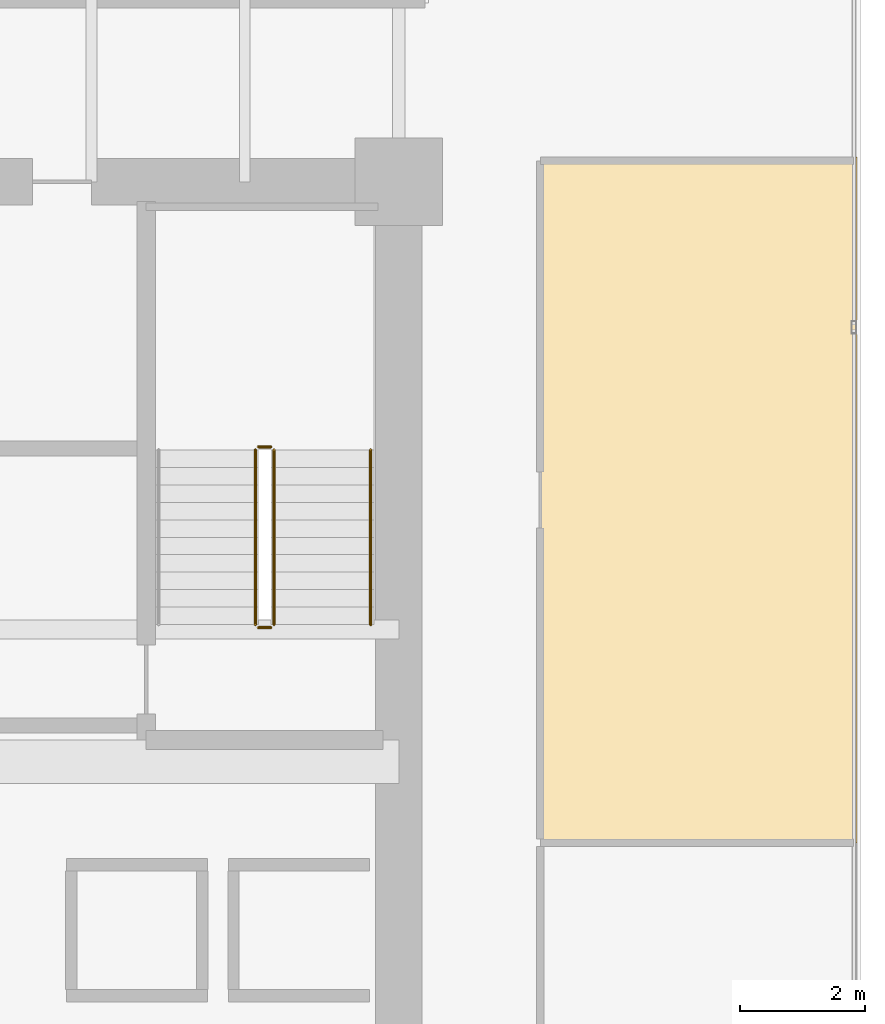
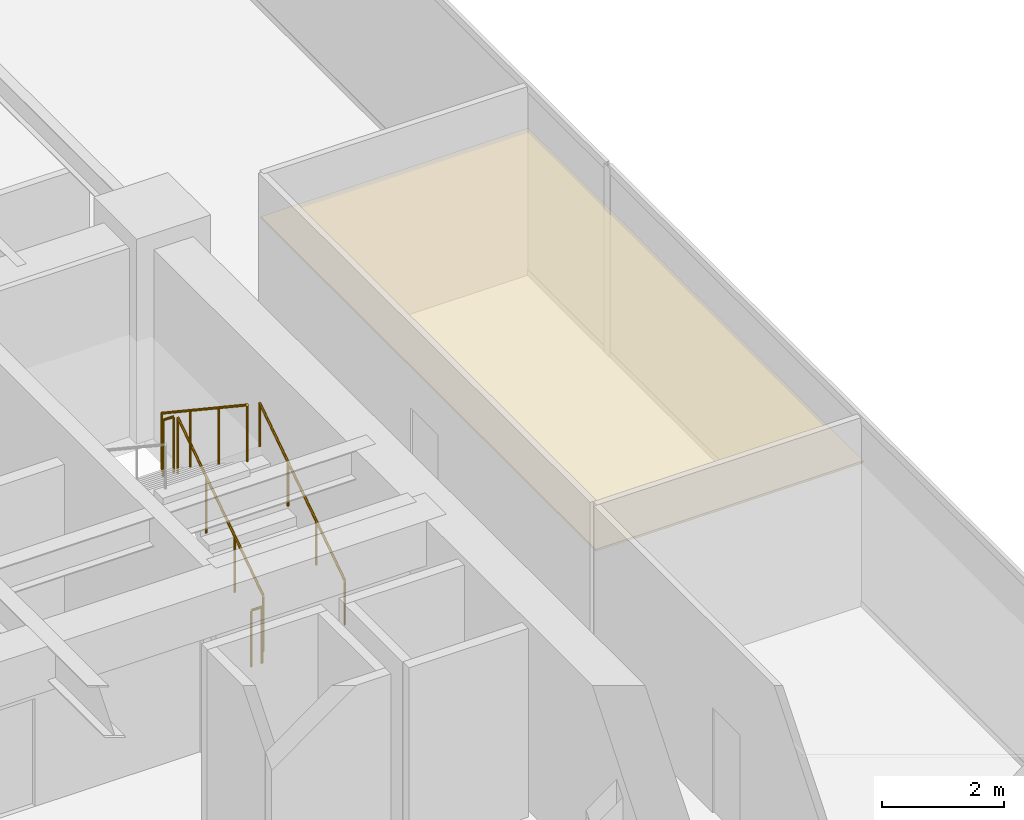
# One storey, part 32 of 32: 5 railings, 1 covering.
"""IFC4 building model written with IfcOpenShell, lengths in metres."""

from ifc_helpers import new_model, si_unit, direction, frame, origin, origin_2d, place, context, subcontext, project, spatial, polyline, circle, outline, extrude, source, transform, mapped, material, layer, layer_set, type_object, type_shapes, element, save


model = new_model("IFC4")

# Units and contexts
model_context = context("Model", 3, precision=1e-05, world=origin(), true_north=direction((0.0, 1.0)))
body_context = subcontext(model_context, "Body", "Model", "MODEL_VIEW")
ifc_project = project(units=[si_unit("LENGTHUNIT", "METRE"), si_unit("AREAUNIT", "SQUARE_METRE"), si_unit("VOLUMEUNIT", "CUBIC_METRE"), si_unit("PLANEANGLEUNIT", "RADIAN"), si_unit("MASSUNIT", "GRAM", prefix="KILO")], contexts=[model_context])

# Site, building, storey
site_placement = place(None, origin())
site = spatial("IfcSite", under=ifc_project, at=site_placement, CompositionType="ELEMENT")
building_placement = place(site_placement, origin())
building = spatial("IfcBuilding", under=site, at=building_placement, Name="Haelvirn Gate Laboratories", CompositionType="ELEMENT")
storey_placement = place(building_placement, frame((0.0, 0.0, 33.39990234375)))
storey = spatial("IfcBuildingStorey", under=building, at=storey_placement, Name="L08", CompositionType="ELEMENT", Elevation=33.39990234375)

# Covering
ifc_material_1 = material(Name="Micro-perforated acoustic mineral-fibre laboratory ceiling")
ifc_layer = layer(ifc_material_1, 0.0400390625, Name="COV-CEIL-ACT")
ifc_layer_set = layer_set([ifc_layer], Name="Micro-perforated acoustic mineral-fibre laboratory ceiling")
covering_type = type_object("IfcCoveringType", Name="COV-CEIL-ACT", PredefinedType="CEILING", material=ifc_layer_set)
covering_placement = place(storey_placement, frame((0.0, 0.0, 2.81005859375)))
element("IfcCovering", 1, at=covering_placement, inside=storey, type_object=covering_type, Name="L08 Laboratory Acoustic Ceiling CEIL-SP-L08-ECELL-02", PredefinedType="CEILING", context=body_context, shape_type="SweptSolid", body=[
    extrude(outline(polyline([(69.679931640625, 34.195068359375), (74.75, 34.195068359375), (74.75, 23.199951171875), (69.679931640625, 23.199951171875), (69.679931640625, 34.195068359375)])), origin(), (0.0, 0.0, 1.0), 0.0400390625),
])

# Railings
ifc_material_2 = material(Name="Galvanised steel SM355 & stainless top rail", Category="steel")
railing_type_1 = type_object("IfcRailingType", Name="RL-GUARD-1150", PredefinedType="GUARDRAIL", material=ifc_material_2)
shared_shape_1 = source(origin(), body_context, "Body", "SweptSolid", [
    extrude(circle(Radius=0.02392578125, at=origin_2d()), frame((0.0, 0.0, 1.1259765625), z_axis=(0.0, 0.832485552168, 0.554046753832), x_axis=(-1.0, 0.0, 0.0)), (0.0, 0.0, 1.0), 3.363525390625),
    extrude(circle(Radius=0.02099609375, at=origin_2d()), origin(), (0.0, 0.0, 1.0), 1.101806640625),
    extrude(circle(Radius=0.02099609375, at=origin_2d()), frame((0.0, 0.933349609375, 0.62109375)), (0.0, 0.0, 1.0), 1.101806640625),
    extrude(circle(Radius=0.02099609375, at=origin_2d()), frame((0.0, 1.86669921875, 1.242431640625)), (0.0, 0.0, 1.0), 1.101806640625),
    extrude(circle(Radius=0.02099609375, at=origin_2d()), frame((0.0, 2.800048828125, 1.863525390625)), (0.0, 0.0, 1.0), 1.101806640625),
])
railing_1_placement = place(storey_placement, frame((65.39990234375, 26.699951171875, 0.1865234375)))
element("IfcRailing", 2, at=railing_1_placement, inside=storey, type_object=railing_type_1, Name="L08 ST2 stair guard 1", PredefinedType="GUARDRAIL", context=body_context, shape_type="MappedRepresentation", body=[
    mapped(shared_shape_1, transform((0.0, 0.0, 0.0), scale=1.0)),
])
ifc_material_3 = material(Name="Brushed stainless steel 316L", Category="steel")
railing_type_2 = type_object("IfcRailingType", Name="RL-HAND-920", PredefinedType="HANDRAIL", material=ifc_material_3)
shared_shape_2 = source(origin(), body_context, "Body", "SweptSolid", [
    extrude(circle(Radius=0.02392578125, at=origin_2d()), frame((0.0, 0.0, 0.8759765625), z_axis=(0.0, 0.832485552168, 0.554046753832), x_axis=(-1.0, 0.0, 0.0)), (0.0, 0.0, 1.0), 3.363525390625),
    extrude(circle(Radius=0.02099609375, at=origin_2d()), origin(), (0.0, 0.0, 1.0), 0.851806640625),
    extrude(circle(Radius=0.02099609375, at=origin_2d()), frame((0.0, 0.933349609375, 0.62109375)), (0.0, 0.0, 1.0), 0.851806640625),
    extrude(circle(Radius=0.02099609375, at=origin_2d()), frame((0.0, 1.86669921875, 1.242431640625)), (0.0, 0.0, 1.0), 0.851806640625),
    extrude(circle(Radius=0.02099609375, at=origin_2d()), frame((0.0, 2.800048828125, 1.863525390625)), (0.0, 0.0, 1.0), 0.851806640625),
])
type_shapes(railing_type_2, [shared_shape_2])
railing_2_placement = place(storey_placement, frame((66.949951171875, 26.699951171875, 0.1865234375)))
element("IfcRailing", 3, at=railing_2_placement, inside=storey, type_object=railing_type_2, Name="L08 ST2 stair handrail 1", PredefinedType="HANDRAIL", context=body_context, shape_type="MappedRepresentation", body=[
    mapped(shared_shape_2, transform((0.0, 0.0, 0.0), scale=1.0)),
])
shared_shape_3 = source(origin(), body_context, "Body", "SweptSolid", [
    extrude(circle(Radius=0.02392578125, at=origin_2d()), frame((0.0, 0.0, 1.1259765625), z_axis=(0.0, -0.832485552168, 0.554046753832), x_axis=(1.0, 0.0, 0.0)), (0.0, 0.0, 1.0), 3.363525390625),
    extrude(circle(Radius=0.02099609375, at=origin_2d()), origin(), (0.0, 0.0, 1.0), 1.101806640625),
    extrude(circle(Radius=0.02099609375, at=origin_2d()), frame((0.0, -0.933349609375, 0.62109375)), (0.0, 0.0, 1.0), 1.101806640625),
    extrude(circle(Radius=0.02099609375, at=origin_2d()), frame((0.0, -1.86669921875, 1.242431640625)), (0.0, 0.0, 1.0), 1.101806640625),
    extrude(circle(Radius=0.02099609375, at=origin_2d()), frame((0.0, -2.800048828125, 1.863525390625)), (0.0, 0.0, 1.0), 1.101806640625),
])
railing_3_placement = place(storey_placement, frame((65.10009765625, 29.5, 2.236572265625)))
element("IfcRailing", 4, at=railing_3_placement, inside=storey, type_object=railing_type_1, Name="L08 ST2 stair guard 3", PredefinedType="GUARDRAIL", context=body_context, shape_type="MappedRepresentation", body=[
    mapped(shared_shape_3, transform((0.0, 0.0, 0.0), scale=1.0)),
])
shared_shape_4 = source(origin(), body_context, "Body", "SweptSolid", [
    extrude(circle(Radius=0.02392578125, at=origin_2d()), frame((0.0, 0.0, 1.1259765625), z_axis=(-1.0, 0.0, 0.0), x_axis=(0.0, -1.0, 0.0)), (0.0, 0.0, 1.0), 0.2001953125),
    extrude(circle(Radius=0.02099609375, at=origin_2d()), origin(), (0.0, 0.0, 1.0), 1.101806640625),
    extrude(circle(Radius=0.02099609375, at=origin_2d()), frame((-0.2001953125, 0.0, 0.0)), (0.0, 0.0, 1.0), 1.101806640625),
])
type_shapes(railing_type_1, [shared_shape_1, shared_shape_3, shared_shape_4])
for number, where, name in (
    (5, (65.35009765625, 29.550048828125, 2.050048828125), "L08 ST2 stair guard 2"),
    (6, (65.35009765625, 26.64990234375, 0.0), "L08 ST2 stair guard 4"),
):
    element("IfcRailing", number, at=place(storey_placement, frame(where)), inside=storey, type_object=railing_type_1, Name=name, PredefinedType="GUARDRAIL", context=body_context, shape_type="MappedRepresentation", body=[
        mapped(shared_shape_4, transform((0.0, 0.0, 0.0), scale=1.0)),
    ])

save(model, "model.ifc")
